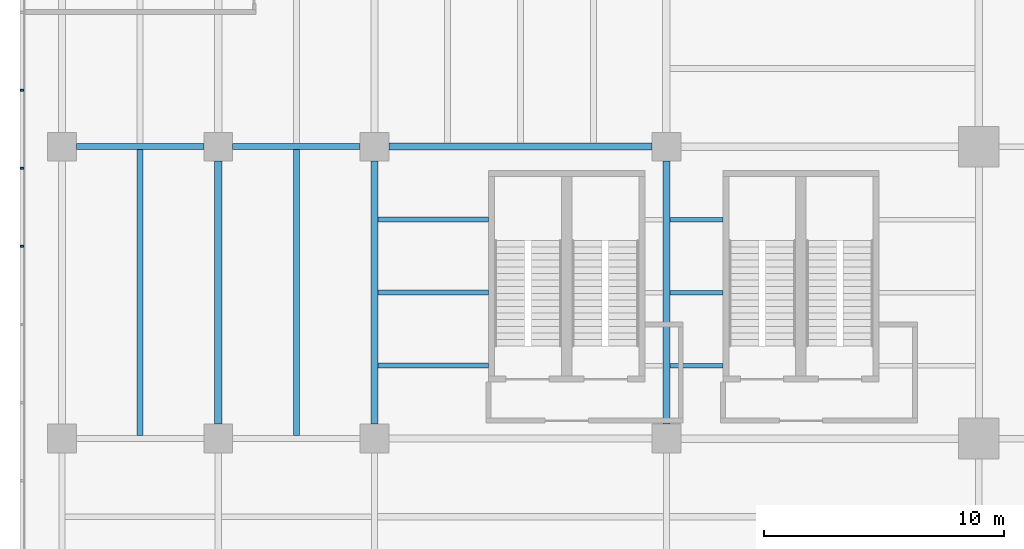
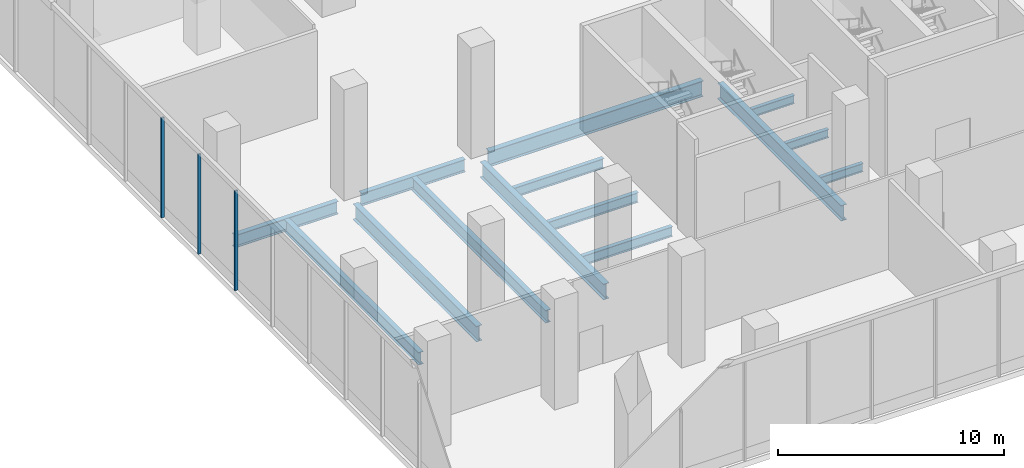
# One storey, part 6 of 41: 14 beams, 3 members, 1 element without a shape of its own.
"""IFC4 building model written with IfcOpenShell, lengths in metres."""

from ifc_helpers import new_model, si_unit, direction, frame, origin, origin_2d, place, context, subcontext, project, spatial, rectangle, i_section, extrude, source, transform, mapped, material, layer, layer_set, material_profile, profile_set, type_object, element, aggregate, save


model = new_model("IFC4")

# Units and contexts
model_context = context("Model", 3, precision=1e-05, world=origin(), true_north=direction((0.0, 1.0)))
body_context = subcontext(model_context, "Body", "Model", "MODEL_VIEW")
ifc_project = project(units=[si_unit("LENGTHUNIT", "METRE"), si_unit("AREAUNIT", "SQUARE_METRE"), si_unit("VOLUMEUNIT", "CUBIC_METRE"), si_unit("PLANEANGLEUNIT", "RADIAN"), si_unit("MASSUNIT", "GRAM", prefix="KILO")], contexts=[model_context])

# Site, building, storey
site_placement = place(None, origin())
site = spatial("IfcSite", under=ifc_project, at=site_placement, CompositionType="ELEMENT")
building_placement = place(site_placement, origin())
building = spatial("IfcBuilding", under=site, at=building_placement, Name="Trellis Farm Tower", CompositionType="ELEMENT")
storey_placement = place(building_placement, frame((0.0, 0.0, 8.0)))
storey = spatial("IfcBuildingStorey", under=building, at=storey_placement, Name="L01", CompositionType="ELEMENT", Elevation=8.0)

# Beams
ifc_material_1 = material(Name="Steel S355", Category="steel")
ifc_material_profile_1 = material_profile(ifc_material_1, i_section(OverallWidth=0.253662109375, OverallDepth=0.68359375, WebThickness=0.012451171875, FlangeThickness=0.021728515625, FilletRadius=0.01513671875, at=origin_2d()), Name="UB 686x254x140")
ifc_profile_set_1 = profile_set([ifc_material_profile_1], Name="Steel S355")
beam_type_1 = type_object("IfcBeamType", Name="UB 686x254x140", PredefinedType="BEAM", material=ifc_profile_set_1)
shared_shape_1 = source(origin(), body_context, "Body", "SweptSolid", [
    extrude(i_section(OverallWidth=0.253662109375, OverallDepth=0.68359375, WebThickness=0.012451171875, FlangeThickness=0.021728515625, FilletRadius=0.01513671875, at=origin_2d()), origin(), (0.0, 0.0, 1.0), 5.2998046875),
])
for number, where, z_axis, x_axis, name in (
    (1, (-43.14990234375, -18.60009765625, -0.641845703125), (1.0, 0.0, 0.0), (0.0, 1.0, 0.0), "Girder"),
    (2, (-36.64990234375, -18.60009765625, -0.641845703125), (1.0, 0.0, 0.0), (0.0, 1.0, 0.0), "Girder"),
):
    element("IfcBeam", number, at=place(storey_placement, frame(where, z_axis=z_axis, x_axis=x_axis)), inside=storey, type_object=beam_type_1, Name=name, PredefinedType="BEAM", context=body_context, shape_type="MappedRepresentation", body=[
        mapped(shared_shape_1, transform((0.0, 0.0, 0.0))),
    ])
ifc_material_profile_2 = material_profile(ifc_material_1, i_section(OverallWidth=0.29248046875, OverallDepth=0.8408203125, WebThickness=0.0146484375, FlangeThickness=0.021728515625, FilletRadius=0.017822265625, at=origin_2d()), Name="UB 838x292x194")
ifc_profile_set_2 = profile_set([ifc_material_profile_2], Name="Steel S355")
beam_type_2 = type_object("IfcBeamType", Name="UB 838x292x194", PredefinedType="BEAM", material=ifc_profile_set_2)
shared_shape_2 = source(origin(), body_context, "Body", "SweptSolid", [
    extrude(i_section(OverallWidth=0.29248046875, OverallDepth=0.8408203125, WebThickness=0.0146484375, FlangeThickness=0.021728515625, FilletRadius=0.017822265625, at=origin_2d()), origin(), (0.0, 0.0, 1.0), 10.949951171875),
])
for number, where, z_axis, x_axis, name in (
    (3, (-30.14990234375, -18.60009765625, -0.72021484375), (1.0, 0.0, 0.0), (0.0, 1.0, 0.0), "Girder"),
    (4, (-37.25, -30.14990234375, -0.72021484375), (0.0, 1.0, 0.0), (-1.0, 0.0, 0.0), "Girder"),
    (5, (-30.75, -30.14990234375, -0.72021484375), (0.0, 1.0, 0.0), (-1.0, 0.0, 0.0), "Girder"),
    (6, (-18.60009765625, -30.14990234375, -0.72021484375), (0.0, 1.0, 0.0), (-1.0, 0.0, 0.0), "Girder"),
):
    element("IfcBeam", number, at=place(storey_placement, frame(where, z_axis=z_axis, x_axis=x_axis)), inside=storey, type_object=beam_type_2, Name=name, PredefinedType="BEAM", context=body_context, shape_type="MappedRepresentation", body=[
        mapped(shared_shape_2, transform((0.0, 0.0, 0.0))),
    ])
ifc_material_profile_3 = material_profile(ifc_material_1, i_section(OverallWidth=0.253662109375, OverallDepth=0.68359375, WebThickness=0.012451171875, FlangeThickness=0.021728515625, FilletRadius=0.01513671875, at=origin_2d()), Name="UB 686x254x140")
ifc_profile_set_3 = profile_set([ifc_material_profile_3], Name="Steel S355")
beam_type_3 = type_object("IfcBeamType", Name="UB 686x254x140 joist", PredefinedType="JOIST", material=ifc_profile_set_3)
shared_shape_3 = source(origin(), body_context, "Body", "SweptSolid", [
    extrude(i_section(OverallWidth=0.253662109375, OverallDepth=0.68359375, WebThickness=0.012451171875, FlangeThickness=0.021728515625, FilletRadius=0.01513671875, at=origin_2d()), origin(), (0.0, 0.0, 1.0), 11.896240234375),
])
for number, where, z_axis, x_axis, name in (
    (7, (-40.5, -30.623046875, -0.641845703125), (0.0, 1.0, 0.0), (-1.0, 0.0, 0.0), "Floor beam"),
    (8, (-34.0, -30.623046875, -0.641845703125), (0.0, 1.0, 0.0), (-1.0, 0.0, 0.0), "Floor beam"),
):
    element("IfcBeam", number, at=place(storey_placement, frame(where, z_axis=z_axis, x_axis=x_axis)), inside=storey, type_object=beam_type_3, Name=name, PredefinedType="JOIST", context=body_context, shape_type="MappedRepresentation", body=[
        mapped(shared_shape_3, transform((0.0, 0.0, 0.0))),
    ])
ifc_material_profile_4 = material_profile(ifc_material_1, i_section(OverallWidth=0.1904296875, OverallDepth=0.45703125, WebThickness=0.009033203125, FlangeThickness=0.014404296875, FilletRadius=0.01025390625, at=origin_2d()), Name="UB 457x191x74")
ifc_profile_set_4 = profile_set([ifc_material_profile_4], Name="Steel S355")
beam_type_4 = type_object("IfcBeamType", Name="UB 457x191x74 joist", PredefinedType="JOIST", material=ifc_profile_set_4)
shared_shape_4 = source(origin(), body_context, "Body", "SweptSolid", [
    extrude(i_section(OverallWidth=0.1904296875, OverallDepth=0.45703125, WebThickness=0.009033203125, FlangeThickness=0.014404296875, FilletRadius=0.01025390625, at=origin_2d()), origin(), (0.0, 0.0, 1.0), 2.203857421875),
])
for number, where, z_axis, x_axis, name in (
    (9, (-18.453857421875, -27.71240234375, -0.528564453125), (1.0, 0.0, 0.0), (0.0, 1.0, 0.0), "Floor beam"),
    (10, (-18.453857421875, -24.675048828125, -0.528564453125), (1.0, 0.0, 0.0), (0.0, 1.0, 0.0), "Floor beam"),
    (11, (-18.453857421875, -21.637451171875, -0.528564453125), (1.0, 0.0, 0.0), (0.0, 1.0, 0.0), "Floor beam"),
):
    element("IfcBeam", number, at=place(storey_placement, frame(where, z_axis=z_axis, x_axis=x_axis)), inside=storey, type_object=beam_type_4, Name=name, PredefinedType="JOIST", context=body_context, shape_type="MappedRepresentation", body=[
        mapped(shared_shape_4, transform((0.0, 0.0, 0.0))),
    ])
ifc_material_profile_5 = material_profile(ifc_material_1, i_section(OverallWidth=0.209228515625, OverallDepth=0.533203125, WebThickness=0.010009765625, FlangeThickness=0.015625, FilletRadius=0.0126953125, at=origin_2d()), Name="UB 533x210x92")
ifc_profile_set_5 = profile_set([ifc_material_profile_5], Name="Steel S355")
beam_type_5 = type_object("IfcBeamType", Name="UB 533x210x92 joist", PredefinedType="JOIST", material=ifc_profile_set_5)
shared_shape_5 = source(origin(), body_context, "Body", "SweptSolid", [
    extrude(i_section(OverallWidth=0.209228515625, OverallDepth=0.533203125, WebThickness=0.010009765625, FlangeThickness=0.015625, FilletRadius=0.0126953125, at=origin_2d()), origin(), (0.0, 0.0, 1.0), 4.603759765625),
])
for number, where, z_axis, x_axis, name in (
    (12, (-30.603759765625, -27.71240234375, -0.56640625), (1.0, 0.0, 0.0), (0.0, 1.0, 0.0), "Floor beam"),
    (13, (-30.603759765625, -24.675048828125, -0.56640625), (1.0, 0.0, 0.0), (0.0, 1.0, 0.0), "Floor beam"),
    (14, (-30.603759765625, -21.637451171875, -0.56640625), (1.0, 0.0, 0.0), (0.0, 1.0, 0.0), "Floor beam"),
):
    element("IfcBeam", number, at=place(storey_placement, frame(where, z_axis=z_axis, x_axis=x_axis)), inside=storey, type_object=beam_type_5, Name=name, PredefinedType="JOIST", context=body_context, shape_type="MappedRepresentation", body=[
        mapped(shared_shape_5, transform((0.0, 0.0, 0.0))),
    ])

# Curtain wall, members
ifc_material_2 = material(Name="Aluminium and glass curtain wall", Category="aluminium")
ifc_layer = layer(ifc_material_2, 0.201904296875)
ifc_layer_set = layer_set([ifc_layer], Name="SHOPFRONT CURTAIN WALL CW2")
curtain_wall_type = type_object("IfcCurtainWallType", Name="SHOPFRONT CURTAIN WALL CW2", PredefinedType="NOTDEFINED", material=ifc_layer_set)
curtain_wall_placement = place(storey_placement, origin())
curtain_wall = element("IfcCurtainWall", 15, at=curtain_wall_placement, inside=storey, type_object=curtain_wall_type, Name="CW2 006", PredefinedType="NOTDEFINED")
ifc_material_3 = material(Name="Aluminium extrusion 6063-T6", Category="aluminium")
ifc_material_profile_6 = material_profile(ifc_material_3, rectangle(XDim=0.080078125, YDim=0.14990234375, at=origin_2d()), Name="MULLION 80x150")
ifc_profile_set_6 = profile_set([ifc_material_profile_6], Name="Aluminium extrusion 6063-T6")
member_type = type_object("IfcMemberType", Name="CW2 MULLION 80x150", PredefinedType="MULLION", material=ifc_profile_set_6)
shared_shape_6 = source(origin(), body_context, "Body", "SweptSolid", [
    extrude(rectangle(XDim=0.080078125, YDim=0.14990234375, at=origin_2d()), origin(), (0.0, 0.0, 1.0), 5.39990234375),
])
member_1_placement = place(storey_placement, frame((-45.425048828125, -16.25, 0.0), z_axis=(0.0, 0.0, 1.0), x_axis=(0.0, -1.0, 0.0)))
member_1 = element("IfcMember", 16, at=member_1_placement, type_object=member_type, Name="MU2 006-03", PredefinedType="MULLION", context=body_context, shape_type="MappedRepresentation", body=[
    mapped(shared_shape_6, transform((0.0, 0.0, 0.0))),
])
member_2_placement = place(storey_placement, frame((-45.425048828125, -19.5, 0.0), z_axis=(0.0, 0.0, 1.0), x_axis=(0.0, -1.0, 0.0)))
member_2 = element("IfcMember", 17, at=member_2_placement, type_object=member_type, Name="MU2 006-04", PredefinedType="MULLION", context=body_context, shape_type="MappedRepresentation", body=[
    mapped(shared_shape_6, transform((0.0, 0.0, 0.0))),
])
member_3_placement = place(storey_placement, frame((-45.425048828125, -22.75, 0.0), z_axis=(0.0, 0.0, 1.0), x_axis=(0.0, -1.0, 0.0)))
member_3 = element("IfcMember", 18, at=member_3_placement, type_object=member_type, Name="MU2 006-05", PredefinedType="MULLION", context=body_context, shape_type="MappedRepresentation", body=[
    mapped(shared_shape_6, transform((0.0, 0.0, 0.0))),
])
aggregate(curtain_wall, [member_1, member_2, member_3])

save(model, "model.ifc")
